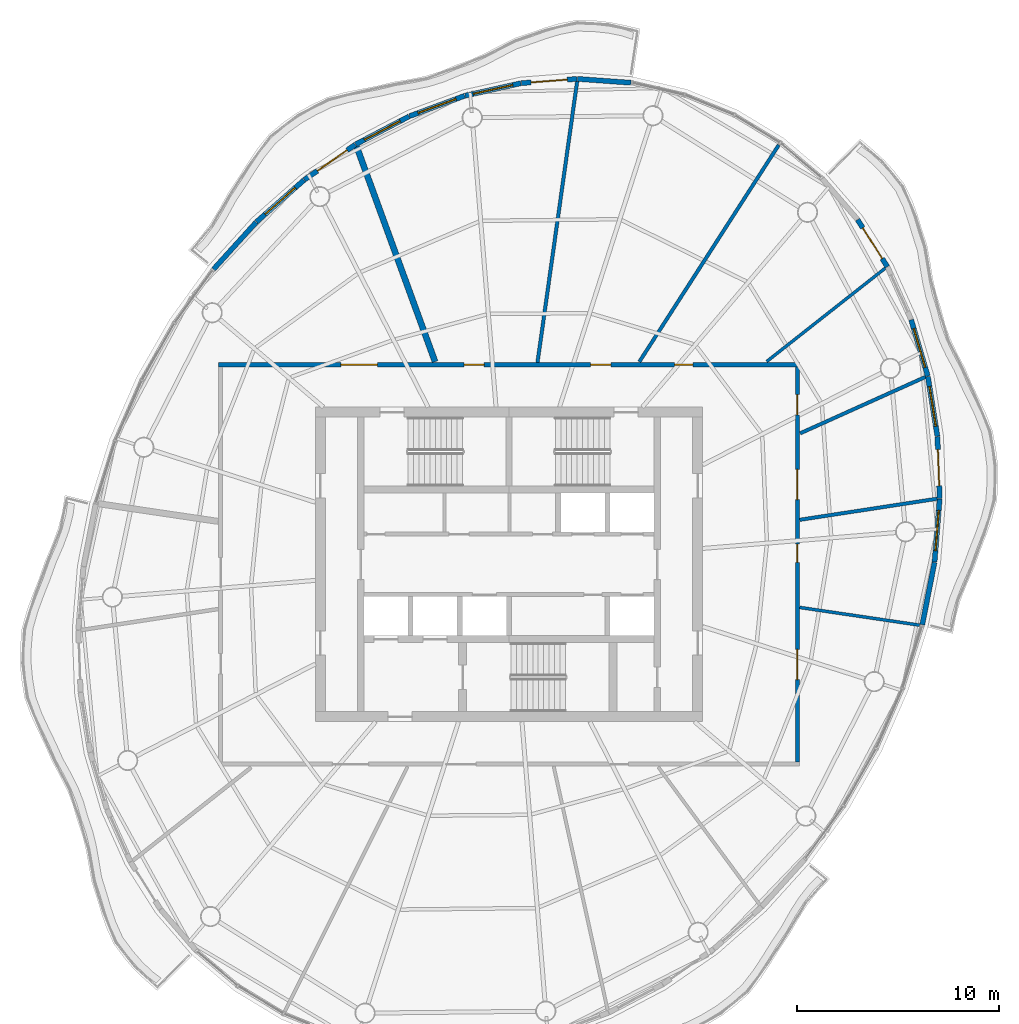
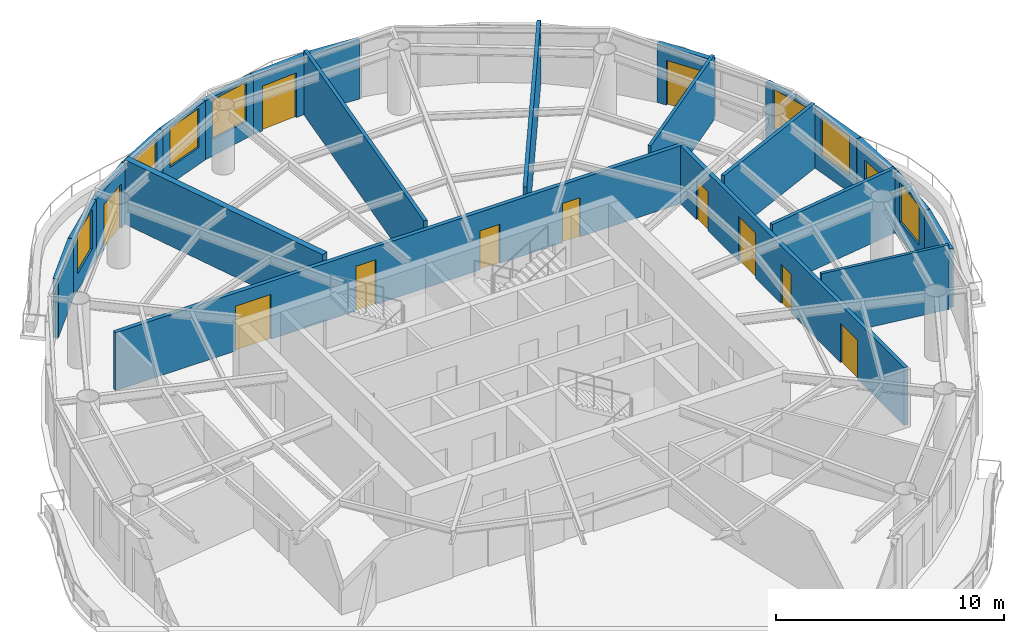
# One storey, part 9 of 13: 23 walls, 12 doors, 7 windows, 19 openings.
"""IFC4 building model written with IfcOpenShell, lengths in metres."""

from ifc_helpers import new_model, si_unit, direction, frame, frame_2d, origin, place, context, subcontext, project, spatial, rectangle, extrude, material, layer, layer_set, type_object, element, fill, save


model = new_model("IFC4")

# Units and contexts
model_context = context("Model", 3, precision=1e-05, world=origin(), true_north=direction((0.0, 1.0)))
body_context = subcontext(model_context, "Body", "Model", "MODEL_VIEW")
ifc_project = project(units=[si_unit("LENGTHUNIT", "METRE"), si_unit("AREAUNIT", "SQUARE_METRE"), si_unit("VOLUMEUNIT", "CUBIC_METRE"), si_unit("PLANEANGLEUNIT", "RADIAN"), si_unit("MASSUNIT", "GRAM", prefix="KILO")], contexts=[model_context])

# Site, building, storey
site_placement = place(None, origin())
site = spatial("IfcSite", under=ifc_project, at=site_placement, CompositionType="ELEMENT")
building_placement = place(site_placement, origin())
building = spatial("IfcBuilding", under=site, at=building_placement, Name="Vermilion Reach Broadcast Tower", CompositionType="ELEMENT")
storey_placement = place(building_placement, frame((0.0, 0.0, 286.5)))
storey = spatial("IfcBuildingStorey", under=building, at=storey_placement, Name="L71", CompositionType="ELEMENT", Elevation=286.5)

# Walls
ifc_material_1 = material(Name="Lightweight concrete block, plastered", Category="concrete")
ifc_layer_1 = layer(ifc_material_1, 0.14990234375)
ifc_layer_set_1 = layer_set([ifc_layer_1], Name="Partition 150 lightweight block")
wall_type_1 = type_object("IfcWallType", Name="Partition 150 lightweight block", PredefinedType="PARTITIONING", material=ifc_layer_set_1)
wall_1_placement = place(storey_placement, frame((14.3583984375, -3.01171875, 0.0), z_axis=(0.0, 0.0, 1.0), x_axis=(-0.989233093571, 0.146348510703, 0.0)))
element("IfcWall", 1, at=wall_1_placement, inside=storey, type_object=wall_type_1, Name="Partition 71.09", PredefinedType="PARTITIONING", context=body_context, shape_type="SweptSolid", body=[
    extrude(rectangle(XDim=6.01220703125, YDim=0.14990234375, at=frame_2d((3.006103515625, 0.0))), origin(), (0.0, 0.0, 1.0), 3.449951171875),
])
wall_2_placement = place(storey_placement, frame((12.655517578125, 14.68896484375, 0.0), z_axis=(0.0, 0.0, 1.0), x_axis=(-0.78567951845, -0.618633731936, 0.0)))
element("IfcWall", 2, at=wall_2_placement, inside=storey, type_object=wall_type_1, Name="Partition 71.12", PredefinedType="PARTITIONING", context=body_context, shape_type="SweptSolid", body=[
    extrude(rectangle(XDim=7.484375, YDim=0.14990234375, at=frame_2d((3.7421875, 0.0))), origin(), (0.0, 0.0, 1.0), 3.449951171875),
])
ifc_material_2 = material(Name="Fire-rated block, plastered")
ifc_layer_2 = layer(ifc_material_2, 0.175048828125)
ifc_layer_set_2 = layer_set([ifc_layer_2], Name="Partition 175 fire-rated block")
wall_type_2 = type_object("IfcWallType", Name="Partition 175 fire-rated block", PredefinedType="PARTITIONING", material=ifc_layer_set_2)
wall_3_placement = place(storey_placement, frame((-2.620361328125, 23.948486328125, 0.0), z_axis=(0.0, 0.0, 1.0), x_axis=(-0.139726049036, -0.990190199518, 0.0)))
element("IfcWall", 3, at=wall_3_placement, inside=storey, type_object=wall_type_2, Name="Partition 71.01", PredefinedType="PARTITIONING", context=body_context, shape_type="SweptSolid", body=[
    extrude(rectangle(XDim=14.074462890625, YDim=0.175048828125, at=frame_2d((7.037109375, 0.0))), origin(), (0.0, 0.0, 1.0), 3.449951171875),
])
wall_4_placement = place(storey_placement, frame((15.2275390625, 3.25634765625, 0.0), z_axis=(0.0, 0.0, 1.0), x_axis=(-0.988435478187, -0.151642030654, 0.0)))
element("IfcWall", 4, at=wall_4_placement, inside=storey, type_object=wall_type_2, Name="Partition 71.10", PredefinedType="PARTITIONING", context=body_context, shape_type="SweptSolid", body=[
    extrude(rectangle(XDim=6.89404296875, YDim=0.175048828125, at=frame_2d((3.447021484375, 0.0))), origin(), (0.0, 0.0, 1.0), 3.449951171875),
])
wall_5_placement = place(storey_placement, frame((14.64404296875, 9.294677734375, 0.0), z_axis=(0.0, 0.0, 1.0), x_axis=(-0.911835601306, -0.410555521447, 0.0)))
element("IfcWall", 5, at=wall_5_placement, inside=storey, type_object=wall_type_2, Name="Partition 71.11", PredefinedType="PARTITIONING", context=body_context, shape_type="SweptSolid", body=[
    extrude(rectangle(XDim=6.808349609375, YDim=0.175048828125, at=frame_2d((3.404296875, 0.0))), origin(), (0.0, 0.0, 1.0), 3.449951171875),
])
wall_6_placement = place(storey_placement, frame((7.37451171875, 20.796142578125, 0.0), z_axis=(0.0, 0.0, 1.0), x_axis=(-0.540918824155, -0.841074803852, 0.0)))
element("IfcWall", 6, at=wall_6_placement, inside=storey, type_object=wall_type_2, Name="Partition 71.13", PredefinedType="PARTITIONING", context=body_context, shape_type="SweptSolid", body=[
    extrude(rectangle(XDim=12.77978515625, YDim=0.175048828125, at=frame_2d((6.389892578125, 0.0))), origin(), (0.0, 0.0, 1.0), 3.449951171875),
])
ifc_material_3 = material(Name="Double-leaf plasterboard on isolated steel stud", Category="steel")
ifc_layer_3 = layer(ifc_material_3, 0.300048828125)
ifc_layer_set_3 = layer_set([ifc_layer_3], Name="Partition 300 acoustic double leaf")
wall_type_3 = type_object("IfcWallType", Name="Partition 300 acoustic double leaf", PredefinedType="PARTITIONING", material=ifc_layer_set_3)
wall_7_placement = place(storey_placement, frame((-13.55126953125, 20.711669921875, 0.0), z_axis=(0.0, 0.0, 1.0), x_axis=(0.342537626191, -0.939504111031, 0.0)))
element("IfcWall", 7, at=wall_7_placement, inside=storey, type_object=wall_type_3, Name="Partition 71.02", PredefinedType="PARTITIONING", context=body_context, shape_type="SweptSolid", body=[
    extrude(rectangle(XDim=11.346923828125, YDim=0.300048828125, at=frame_2d((5.67333984375, 0.0))), origin(), (0.0, 0.0, 1.0), 3.449951171875),
])
ifc_material_4 = material(Name="Terracotta rainscreen cladding", Category="masonry")
ifc_layer_4 = layer(ifc_material_4, 0.25)
ifc_layer_set_4 = layer_set([ifc_layer_4], Name="Terracotta rainscreen wall 250")
wall_type_4 = type_object("IfcWallType", Name="Terracotta rainscreen wall 250", PredefinedType="SOLIDWALL", material=ifc_layer_set_4)
wall_8_placement = place(storey_placement, frame((0.042724609375, 23.880859375, 0.0), z_axis=(0.0, 0.0, 1.0), x_axis=(-0.997395344453, 0.072128544025, 0.0)))
element("IfcWall", 8, at=wall_8_placement, inside=storey, type_object=wall_type_4, Name="External wall L71 02", PredefinedType="SOLIDWALL", context=body_context, shape_type="SweptSolid", body=[
    extrude(rectangle(XDim=2.656982421875, YDim=0.25, at=frame_2d((1.32861328125, 0.0))), origin(), (0.0, 0.0, 1.0), 3.14990234375),
])

# Wall, opening, door
wall_9_placement = place(storey_placement, frame((-2.634033203125, 24.072509765625, 0.0), z_axis=(0.0, 0.0, 1.0), x_axis=(-0.997054485502, -0.076696498885, 0.0)))
wall_9 = element("IfcWall", 9, at=wall_9_placement, inside=storey, type_object=wall_type_4, Name="External wall L71 03", PredefinedType="SOLIDWALL", context=body_context, shape_type="SweptSolid", body=[
    extrude(rectangle(XDim=2.759765625, YDim=0.25, at=frame_2d((1.3798828125, 0.0))), origin(), (0.0, 0.0, 1.0), 3.14990234375),
])
opening_1_placement = place(wall_9_placement, frame((0.47998046875, 0.0, 0.0)))
opening_1 = element("IfcOpeningElement", 10, at=opening_1_placement, cuts=wall_9, Name="Opening D70", PredefinedType="OPENING", context=body_context, shape_type="SweptSolid", body=[
    extrude(rectangle(XDim=1.800048828125, YDim=2.39990234375, at=frame_2d((0.89990234375, 1.199951171875))), frame((0.0, 0.135009765625, 0.0), z_axis=(0.0, -1.0, 0.0), x_axis=(1.0, 0.0, 0.0)), (0.0, 0.0, 1.0), 0.27001953125),
])
ifc_material_5 = material(Name="Low-e laminated clear glass in aluminium frame", Category="aluminium")
door_type_1 = type_object("IfcDoorType", Name="Balcony sliding door 1800 x 2400", OperationType="DOUBLE_DOOR_SLIDING", PredefinedType="DOOR", material=ifc_material_5)
door_1_placement = place(opening_1_placement, origin())
door_1 = element("IfcDoor", 11, at=door_1_placement, inside=storey, type_object=door_type_1, Name="Balcony door L71 run 01", OperationType="DOUBLE_DOOR_SLIDING", OverallHeight=2.39990234375, OverallWidth=1.800048828125, PredefinedType="DOOR", context=body_context, shape_type="SweptSolid", body=[
    extrude(rectangle(XDim=1.800048828125, YDim=2.39990234375, at=frame_2d((0.89990234375, 1.199951171875))), frame((0.0, 0.02490234375, 0.0), z_axis=(0.0, -1.0, 0.0), x_axis=(1.0, 0.0, 0.0)), (0.0, 0.0, 1.0), 0.050048828125),
])
fill(opening_1, door_1)

# Wall, opening, window
wall_10_placement = place(storey_placement, frame((-5.4111328125, 23.85693359375, 0.0), z_axis=(0.0, 0.0, 1.0), x_axis=(-0.976083550613, -0.217395727242, 0.0)))
wall_10 = element("IfcWall", 12, at=wall_10_placement, inside=storey, type_object=wall_type_4, Name="External wall L71 04", PredefinedType="SOLIDWALL", context=body_context, shape_type="SweptSolid", body=[
    extrude(rectangle(XDim=2.83349609375, YDim=0.25, at=frame_2d((1.416748046875, 0.0))), origin(), (0.0, 0.0, 1.0), 3.14990234375),
])
opening_2_placement = place(wall_10_placement, frame((0.416748046875, 0.0, 0.89990234375)))
opening_2 = element("IfcOpeningElement", 13, at=opening_2_placement, cuts=wall_10, Name="Opening W03", PredefinedType="OPENING", context=body_context, shape_type="SweptSolid", body=[
    extrude(rectangle(XDim=2.0, YDim=2.10009765625, at=frame_2d((1.0, 1.050048828125))), frame((0.0, 0.135009765625, 0.0), z_axis=(0.0, -1.0, 0.0), x_axis=(1.0, 0.0, 0.0)), (0.0, 0.0, 1.0), 0.27001953125),
])
ifc_material_6 = material(Name="Low-e laminated clear glass in aluminium frame", Category="aluminium")
window_type = type_object("IfcWindowType", Name="Punched window 2000 x 2100 sill 900", PartitioningType="SINGLE_PANEL", PredefinedType="WINDOW", material=ifc_material_6)
window_1_placement = place(opening_2_placement, origin())
window_1 = element("IfcWindow", 14, at=window_1_placement, inside=storey, type_object=window_type, Name="Window L71 04", OverallHeight=2.10009765625, OverallWidth=2.0, PartitioningType="SINGLE_PANEL", PredefinedType="WINDOW", context=body_context, shape_type="SweptSolid", body=[
    extrude(rectangle(XDim=2.0, YDim=2.10009765625, at=frame_2d((1.0, 1.050048828125))), frame((0.0, 0.030029296875, 0.0), z_axis=(0.0, -1.0, 0.0), x_axis=(1.0, 0.0, 0.0)), (0.0, 0.0, 1.0), 0.06005859375),
])
fill(opening_2, window_1)

wall_11_placement = place(storey_placement, frame((-8.20068359375, 23.234130859375, 0.0), z_axis=(0.0, 0.0, 1.0), x_axis=(-0.937870025434, -0.346986765442, 0.0)))
wall_11 = element("IfcWall", 15, at=wall_11_placement, inside=storey, type_object=wall_type_4, Name="External wall L71 05", PredefinedType="SOLIDWALL", context=body_context, shape_type="SweptSolid", body=[
    extrude(rectangle(XDim=2.912841796875, YDim=0.25, at=frame_2d((1.45654296875, 0.0))), origin(), (0.0, 0.0, 1.0), 3.14990234375),
])
opening_3_placement = place(wall_11_placement, frame((0.45654296875, 0.0, 0.89990234375)))
opening_3 = element("IfcOpeningElement", 16, at=opening_3_placement, cuts=wall_11, Name="Opening W03", PredefinedType="OPENING", context=body_context, shape_type="SweptSolid", body=[
    extrude(rectangle(XDim=2.0, YDim=2.10009765625, at=frame_2d((1.0, 1.050048828125))), frame((0.0, 0.135009765625, 0.0), z_axis=(0.0, -1.0, 0.0), x_axis=(1.0, 0.0, 0.0)), (0.0, 0.0, 1.0), 0.27001953125),
])
window_2_placement = place(opening_3_placement, origin())
window_2 = element("IfcWindow", 17, at=window_2_placement, inside=storey, type_object=window_type, Name="Window L71 05", OverallHeight=2.10009765625, OverallWidth=2.0, PartitioningType="SINGLE_PANEL", PredefinedType="WINDOW", context=body_context, shape_type="SweptSolid", body=[
    extrude(rectangle(XDim=2.0, YDim=2.10009765625, at=frame_2d((1.0, 1.050048828125))), frame((0.0, 0.030029296875, 0.0), z_axis=(0.0, -1.0, 0.0), x_axis=(1.0, 0.0, 0.0)), (0.0, 0.0, 1.0), 0.06005859375),
])
fill(opening_3, window_2)

wall_12_placement = place(storey_placement, frame((-10.95458984375, 22.213623046875, 0.0), z_axis=(0.0, 0.0, 1.0), x_axis=(-0.885698994615, -0.464259938977, 0.0)))
wall_12 = element("IfcWall", 18, at=wall_12_placement, inside=storey, type_object=wall_type_4, Name="External wall L71 06", PredefinedType="SOLIDWALL", context=body_context, shape_type="SweptSolid", body=[
    extrude(rectangle(XDim=2.9931640625, YDim=0.25, at=frame_2d((1.49658203125, 0.0))), origin(), (0.0, 0.0, 1.0), 3.14990234375),
])
opening_4_placement = place(wall_12_placement, frame((0.49658203125, 0.0, 0.89990234375)))
opening_4 = element("IfcOpeningElement", 19, at=opening_4_placement, cuts=wall_12, Name="Opening W03", PredefinedType="OPENING", context=body_context, shape_type="SweptSolid", body=[
    extrude(rectangle(XDim=2.0, YDim=2.10009765625, at=frame_2d((1.0, 1.050048828125))), frame((0.0, 0.135009765625, 0.0), z_axis=(0.0, -1.0, 0.0), x_axis=(1.0, 0.0, 0.0)), (0.0, 0.0, 1.0), 0.27001953125),
])
window_3_placement = place(opening_4_placement, origin())
window_3 = element("IfcWindow", 20, at=window_3_placement, inside=storey, type_object=window_type, Name="Window L71 06", OverallHeight=2.10009765625, OverallWidth=2.0, PartitioningType="SINGLE_PANEL", PredefinedType="WINDOW", context=body_context, shape_type="SweptSolid", body=[
    extrude(rectangle(XDim=2.0, YDim=2.10009765625, at=frame_2d((1.0, 1.050048828125))), frame((0.0, 0.030029296875, 0.0), z_axis=(0.0, -1.0, 0.0), x_axis=(1.0, 0.0, 0.0)), (0.0, 0.0, 1.0), 0.06005859375),
])
fill(opening_4, window_3)

# Wall, opening, door
wall_13_placement = place(storey_placement, frame((-13.62548828125, 20.81201171875, 0.0), z_axis=(0.0, 0.0, 1.0), x_axis=(-0.822592980817, -0.568630625196, 0.0)))
wall_13 = element("IfcWall", 21, at=wall_13_placement, inside=storey, type_object=wall_type_4, Name="External wall L71 07", PredefinedType="SOLIDWALL", context=body_context, shape_type="SweptSolid", body=[
    extrude(rectangle(XDim=3.068603515625, YDim=0.25, at=frame_2d((1.5341796875, 0.0))), origin(), (0.0, 0.0, 1.0), 3.14990234375),
])
opening_5_placement = place(wall_13_placement, frame((0.48388671875, 0.0, 0.0)))
opening_5 = element("IfcOpeningElement", 22, at=opening_5_placement, cuts=wall_13, Name="Opening D70", PredefinedType="OPENING", context=body_context, shape_type="SweptSolid", body=[
    extrude(rectangle(XDim=1.800048828125, YDim=2.39990234375, at=frame_2d((0.89990234375, 1.199951171875))), frame((0.0, 0.135009765625, 0.0), z_axis=(0.0, -1.0, 0.0), x_axis=(1.0, 0.0, 0.0)), (0.0, 0.0, 1.0), 0.27001953125),
])
door_2_placement = place(opening_5_placement, origin())
door_2 = element("IfcDoor", 23, at=door_2_placement, inside=storey, type_object=door_type_1, Name="Balcony door L71 run 02", OperationType="DOUBLE_DOOR_SLIDING", OverallHeight=2.39990234375, OverallWidth=1.800048828125, PredefinedType="DOOR", context=body_context, shape_type="SweptSolid", body=[
    extrude(rectangle(XDim=1.800048828125, YDim=2.39990234375, at=frame_2d((0.89990234375, 1.199951171875))), frame((0.0, 0.02490234375, 0.0), z_axis=(0.0, -1.0, 0.0), x_axis=(1.0, 0.0, 0.0)), (0.0, 0.0, 1.0), 0.050048828125),
])
fill(opening_5, door_2)

# Wall, opening, window
wall_14_placement = place(storey_placement, frame((-16.16748046875, 19.05322265625, 0.0), z_axis=(0.0, 0.0, 1.0), x_axis=(-0.750580626187, -0.660778876473, 0.0)))
wall_14 = element("IfcWall", 24, at=wall_14_placement, inside=storey, type_object=wall_type_4, Name="External wall L71 08", PredefinedType="SOLIDWALL", context=body_context, shape_type="SweptSolid", body=[
    extrude(rectangle(XDim=3.134521484375, YDim=0.25, at=frame_2d((1.5673828125, 0.0))), origin(), (0.0, 0.0, 1.0), 3.14990234375),
])
opening_6_placement = place(wall_14_placement, frame((0.567138671875, 0.0, 0.89990234375)))
opening_6 = element("IfcOpeningElement", 25, at=opening_6_placement, cuts=wall_14, Name="Opening W03", PredefinedType="OPENING", context=body_context, shape_type="SweptSolid", body=[
    extrude(rectangle(XDim=2.0, YDim=2.10009765625, at=frame_2d((1.0, 1.050048828125))), frame((0.0, 0.135009765625, 0.0), z_axis=(0.0, -1.0, 0.0), x_axis=(1.0, 0.0, 0.0)), (0.0, 0.0, 1.0), 0.27001953125),
])
window_4_placement = place(opening_6_placement, origin())
window_4 = element("IfcWindow", 26, at=window_4_placement, inside=storey, type_object=window_type, Name="Window L71 08", OverallHeight=2.10009765625, OverallWidth=2.0, PartitioningType="SINGLE_PANEL", PredefinedType="WINDOW", context=body_context, shape_type="SweptSolid", body=[
    extrude(rectangle(XDim=2.0, YDim=2.10009765625, at=frame_2d((1.0, 1.050048828125))), frame((0.0, 0.030029296875, 0.0), z_axis=(0.0, -1.0, 0.0), x_axis=(1.0, 0.0, 0.0)), (0.0, 0.0, 1.0), 0.06005859375),
])
fill(opening_6, window_4)

# Walls
for number, where, z_axis, x_axis, name in (
    (27, (-18.535888671875, 16.966552734375, 0.0), (0.0, 0.0, 1.0), (-0.671535416704, -0.740972458403, 0.0), "External wall L71 09"),
    (28, (14.490234375, -2.988525390625, 0.0), (0.0, 0.0, 1.0), (0.192470190708, 0.981302820585, 0.0), "External wall L71 38"),
):
    element("IfcWall", number, at=place(storey_placement, frame(where, z_axis=z_axis, x_axis=x_axis)), inside=storey, type_object=wall_type_4, Name=name, PredefinedType="SOLIDWALL", context=body_context, shape_type="SweptSolid", body=[
        extrude(rectangle(XDim=3.143310546875, YDim=0.25, at=frame_2d((1.57177734375, 0.0))), origin(), (0.0, 0.0, 1.0), 3.14990234375),
    ])

# Wall, opening, window
wall_15_placement = place(storey_placement, frame((15.09814453125, 0.117919921875, 0.0), z_axis=(0.0, 0.0, 1.0), x_axis=(0.080847238515, 0.996726504125, 0.0)))
wall_15 = element("IfcWall", 29, at=wall_15_placement, inside=storey, type_object=wall_type_4, Name="External wall L71 39", PredefinedType="SOLIDWALL", context=body_context, shape_type="SweptSolid", body=[
    extrude(rectangle(XDim=3.134521484375, YDim=0.25, at=frame_2d((1.5673828125, 0.0))), origin(), (0.0, 0.0, 1.0), 3.14990234375),
])
opening_7_placement = place(wall_15_placement, frame((0.567138671875, 0.0, 0.89990234375)))
opening_7 = element("IfcOpeningElement", 30, at=opening_7_placement, cuts=wall_15, Name="Opening W03", PredefinedType="OPENING", context=body_context, shape_type="SweptSolid", body=[
    extrude(rectangle(XDim=2.0, YDim=2.10009765625, at=frame_2d((1.0, 1.050048828125))), frame((0.0, 0.135009765625, 0.0), z_axis=(0.0, -1.0, 0.0), x_axis=(1.0, 0.0, 0.0)), (0.0, 0.0, 1.0), 0.27001953125),
])
window_5_placement = place(opening_7_placement, origin())
window_5 = element("IfcWindow", 31, at=window_5_placement, inside=storey, type_object=window_type, Name="Window L71 39", OverallHeight=2.10009765625, OverallWidth=2.0, PartitioningType="SINGLE_PANEL", PredefinedType="WINDOW", context=body_context, shape_type="SweptSolid", body=[
    extrude(rectangle(XDim=2.0, YDim=2.10009765625, at=frame_2d((1.0, 1.050048828125))), frame((0.0, 0.030029296875, 0.0), z_axis=(0.0, -1.0, 0.0), x_axis=(1.0, 0.0, 0.0)), (0.0, 0.0, 1.0), 0.06005859375),
])
fill(opening_7, window_5)

# Wall, opening, door
wall_16_placement = place(storey_placement, frame((15.35205078125, 3.2646484375, 0.0), z_axis=(0.0, 0.0, 1.0), x_axis=(-0.035961121069, 0.999353189704, 0.0)))
wall_16 = element("IfcWall", 32, at=wall_16_placement, inside=storey, type_object=wall_type_4, Name="External wall L71 40", PredefinedType="SOLIDWALL", context=body_context, shape_type="SweptSolid", body=[
    extrude(rectangle(XDim=3.068603515625, YDim=0.25, at=frame_2d((1.5341796875, 0.0))), origin(), (0.0, 0.0, 1.0), 3.14990234375),
])
opening_8_placement = place(wall_16_placement, frame((0.634033203125, 0.0, 0.0)))
opening_8 = element("IfcOpeningElement", 33, at=opening_8_placement, cuts=wall_16, Name="Opening D70", PredefinedType="OPENING", context=body_context, shape_type="SweptSolid", body=[
    extrude(rectangle(XDim=1.800048828125, YDim=2.39990234375, at=frame_2d((0.89990234375, 1.199951171875))), frame((0.0, 0.135009765625, 0.0), z_axis=(0.0, -1.0, 0.0), x_axis=(1.0, 0.0, 0.0)), (0.0, 0.0, 1.0), 0.27001953125),
])
door_3_placement = place(opening_8_placement, origin())
door_3 = element("IfcDoor", 34, at=door_3_placement, inside=storey, type_object=door_type_1, Name="Balcony door L71 run 10", OperationType="DOUBLE_DOOR_SLIDING", OverallHeight=2.39990234375, OverallWidth=1.800048828125, PredefinedType="DOOR", context=body_context, shape_type="SweptSolid", body=[
    extrude(rectangle(XDim=1.800048828125, YDim=2.39990234375, at=frame_2d((0.89990234375, 1.199951171875))), frame((0.0, 0.02490234375, 0.0), z_axis=(0.0, -1.0, 0.0), x_axis=(1.0, 0.0, 0.0)), (0.0, 0.0, 1.0), 0.050048828125),
])
fill(opening_8, door_3)

# Wall, opening, window
wall_17_placement = place(storey_placement, frame((15.239501953125, 6.354248046875, 0.0), z_axis=(0.0, 0.0, 1.0), x_axis=(-0.157503758702, 0.987518387674, 0.0)))
wall_17 = element("IfcWall", 35, at=wall_17_placement, inside=storey, type_object=wall_type_4, Name="External wall L71 41", PredefinedType="SOLIDWALL", context=body_context, shape_type="SweptSolid", body=[
    extrude(rectangle(XDim=2.9931640625, YDim=0.25, at=frame_2d((1.49658203125, 0.0))), origin(), (0.0, 0.0, 1.0), 3.14990234375),
])
opening_9_placement = place(wall_17_placement, frame((0.49658203125, 0.0, 0.89990234375)))
opening_9 = element("IfcOpeningElement", 36, at=opening_9_placement, cuts=wall_17, Name="Opening W03", PredefinedType="OPENING", context=body_context, shape_type="SweptSolid", body=[
    extrude(rectangle(XDim=2.0, YDim=2.10009765625, at=frame_2d((1.0, 1.050048828125))), frame((0.0, 0.135009765625, 0.0), z_axis=(0.0, -1.0, 0.0), x_axis=(1.0, 0.0, 0.0)), (0.0, 0.0, 1.0), 0.27001953125),
])
window_6_placement = place(opening_9_placement, origin())
window_6 = element("IfcWindow", 37, at=window_6_placement, inside=storey, type_object=window_type, Name="Window L71 41", OverallHeight=2.10009765625, OverallWidth=2.0, PartitioningType="SINGLE_PANEL", PredefinedType="WINDOW", context=body_context, shape_type="SweptSolid", body=[
    extrude(rectangle(XDim=2.0, YDim=2.10009765625, at=frame_2d((1.0, 1.050048828125))), frame((0.0, 0.030029296875, 0.0), z_axis=(0.0, -1.0, 0.0), x_axis=(1.0, 0.0, 0.0)), (0.0, 0.0, 1.0), 0.06005859375),
])
fill(opening_9, window_6)

wall_18_placement = place(storey_placement, frame((14.7626953125, 9.33349609375, 0.0), z_axis=(0.0, 0.0, 1.0), x_axis=(-0.282592797693, 0.959239965124, 0.0)))
wall_18 = element("IfcWall", 38, at=wall_18_placement, inside=storey, type_object=wall_type_4, Name="External wall L71 42", PredefinedType="SOLIDWALL", context=body_context, shape_type="SweptSolid", body=[
    extrude(rectangle(XDim=2.9130859375, YDim=0.25, at=frame_2d((1.45654296875, 0.0))), origin(), (0.0, 0.0, 1.0), 3.14990234375),
])
opening_10_placement = place(wall_18_placement, frame((0.45654296875, 0.0, 0.89990234375)))
opening_10 = element("IfcOpeningElement", 39, at=opening_10_placement, cuts=wall_18, Name="Opening W03", PredefinedType="OPENING", context=body_context, shape_type="SweptSolid", body=[
    extrude(rectangle(XDim=2.0, YDim=2.10009765625, at=frame_2d((1.0, 1.050048828125))), frame((0.0, 0.135009765625, 0.0), z_axis=(0.0, -1.0, 0.0), x_axis=(1.0, 0.0, 0.0)), (0.0, 0.0, 1.0), 0.27001953125),
])
window_7_placement = place(opening_10_placement, origin())
window_7 = element("IfcWindow", 40, at=window_7_placement, inside=storey, type_object=window_type, Name="Window L71 42", OverallHeight=2.10009765625, OverallWidth=2.0, PartitioningType="SINGLE_PANEL", PredefinedType="WINDOW", context=body_context, shape_type="SweptSolid", body=[
    extrude(rectangle(XDim=2.0, YDim=2.10009765625, at=frame_2d((1.0, 1.050048828125))), frame((0.0, 0.030029296875, 0.0), z_axis=(0.0, -1.0, 0.0), x_axis=(1.0, 0.0, 0.0)), (0.0, 0.0, 1.0), 0.06005859375),
])
fill(opening_10, window_7)

# Wall, opening, door
wall_19_placement = place(storey_placement, frame((12.7587890625, 14.7587890625, 0.0), z_axis=(0.0, 0.0, 1.0), x_axis=(-0.534618506931, 0.845093516747, 0.0)))
wall_19 = element("IfcWall", 41, at=wall_19_placement, inside=storey, type_object=wall_type_4, Name="External wall L71 44", PredefinedType="SOLIDWALL", context=body_context, shape_type="SweptSolid", body=[
    extrude(rectangle(XDim=2.760009765625, YDim=0.25, at=frame_2d((1.3798828125, 0.0))), origin(), (0.0, 0.0, 1.0), 3.14990234375),
])
opening_11_placement = place(wall_19_placement, frame((0.47998046875, 0.0, 0.0)))
opening_11 = element("IfcOpeningElement", 42, at=opening_11_placement, cuts=wall_19, Name="Opening D70", PredefinedType="OPENING", context=body_context, shape_type="SweptSolid", body=[
    extrude(rectangle(XDim=1.800048828125, YDim=2.39990234375, at=frame_2d((0.89990234375, 1.199951171875))), frame((0.0, 0.135009765625, 0.0), z_axis=(0.0, -1.0, 0.0), x_axis=(1.0, 0.0, 0.0)), (0.0, 0.0, 1.0), 0.27001953125),
])
door_4_placement = place(opening_11_placement, origin())
door_4 = element("IfcDoor", 43, at=door_4_placement, inside=storey, type_object=door_type_1, Name="Balcony door L71 run 11", OperationType="DOUBLE_DOOR_SLIDING", OverallHeight=2.39990234375, OverallWidth=1.800048828125, PredefinedType="DOOR", context=body_context, shape_type="SweptSolid", body=[
    extrude(rectangle(XDim=1.800048828125, YDim=2.39990234375, at=frame_2d((0.89990234375, 1.199951171875))), frame((0.0, 0.02490234375, 0.0), z_axis=(0.0, -1.0, 0.0), x_axis=(1.0, 0.0, 0.0)), (0.0, 0.0, 1.0), 0.050048828125),
])
fill(opening_11, door_4)

# Wall, openings, doors
ifc_material_7 = material(Name="Fire-rated gypsum board partition")
ifc_layer_5 = layer(ifc_material_7, 0.199951171875)
ifc_layer_set_5 = layer_set([ifc_layer_5], Name="Under girder: Corridor wall 200 fire-rated")
wall_type_5 = type_object("IfcWallType", Name="Under girder: Corridor wall 200 fire-rated", PredefinedType="PARTITIONING", material=ifc_layer_set_5)
wall_20_placement = place(storey_placement, frame((-20.39990234375, 9.89990234375, 0.0), z_axis=(0.0, 0.0, 1.0), x_axis=(1.0, 0.0, 0.0)))
wall_20 = element("IfcWall", 44, at=wall_20_placement, inside=storey, type_object=wall_type_5, Name="Corridor wall 71.N", PredefinedType="PARTITIONING", context=body_context, shape_type="SweptSolid", body=[
    extrude(rectangle(XDim=28.7998046875, YDim=0.199951171875, at=frame_2d((14.39990234375, 0.0))), origin(), (0.0, 0.0, 1.0), 3.10009765625),
])
opening_12_placement = place(wall_20_placement, frame((12.171142578125, 0.0, 0.0)))
opening_12 = element("IfcOpeningElement", 45, at=opening_12_placement, cuts=wall_20, Name="Opening D23", PredefinedType="OPENING", context=body_context, shape_type="SweptSolid", body=[
    extrude(rectangle(XDim=1.0, YDim=2.39990234375, at=frame_2d((0.5, 1.199951171875))), frame((0.0, 0.10986328125, 0.0), z_axis=(0.0, -1.0, 0.0), x_axis=(1.0, 0.0, 0.0)), (0.0, 0.0, 1.0), 0.219970703125),
])
opening_13_placement = place(wall_20_placement, frame((6.06787109375, 0.0, 0.0)))
opening_13 = element("IfcOpeningElement", 46, at=opening_13_placement, cuts=wall_20, Name="Opening D27", PredefinedType="OPENING", context=body_context, shape_type="SweptSolid", body=[
    extrude(rectangle(XDim=1.800048828125, YDim=2.39990234375, at=frame_2d((0.89990234375, 1.199951171875))), frame((0.0, 0.10986328125, 0.0), z_axis=(0.0, -1.0, 0.0), x_axis=(1.0, 0.0, 0.0)), (0.0, 0.0, 1.0), 0.219970703125),
])
opening_14_placement = place(wall_20_placement, frame((22.616943359375, 0.0, 0.0)))
opening_14 = element("IfcOpeningElement", 47, at=opening_14_placement, cuts=wall_20, Name="Opening D22", PredefinedType="OPENING", context=body_context, shape_type="SweptSolid", body=[
    extrude(rectangle(XDim=0.89990234375, YDim=2.10009765625, at=frame_2d((0.449951171875, 1.050048828125))), frame((0.0, 0.10986328125, 0.0), z_axis=(0.0, -1.0, 0.0), x_axis=(1.0, 0.0, 0.0)), (0.0, 0.0, 1.0), 0.219970703125),
])
opening_15_placement = place(wall_20_placement, frame((18.4501953125, 0.0, 0.0)))
opening_15 = element("IfcOpeningElement", 48, at=opening_15_placement, cuts=wall_20, Name="Opening D20", PredefinedType="OPENING", context=body_context, shape_type="SweptSolid", body=[
    extrude(rectangle(XDim=1.0, YDim=2.10009765625, at=frame_2d((0.5, 1.050048828125))), frame((0.0, 0.10986328125, 0.0), z_axis=(0.0, -1.0, 0.0), x_axis=(1.0, 0.0, 0.0)), (0.0, 0.0, 1.0), 0.219970703125),
])
ifc_material_8 = material(Name="Acoustic timber door leaf", Category="wood")
door_type_2 = type_object("IfcDoorType", Name="Door pair 1800x2400", OperationType="NOTDEFINED", PredefinedType="DOOR", material=ifc_material_8)
door_5_placement = place(opening_13_placement, origin())
door_5 = element("IfcDoor", 49, at=door_5_placement, inside=storey, type_object=door_type_2, Name="Door 71.02", OperationType="DOUBLE_DOOR_SINGLE_SWING", OverallHeight=2.39990234375, OverallWidth=1.800048828125, PredefinedType="DOOR", context=body_context, shape_type="SweptSolid", body=[
    extrude(rectangle(XDim=1.800048828125, YDim=2.39990234375, at=frame_2d((0.89990234375, 1.199951171875))), frame((0.0, 0.02490234375, 0.0), z_axis=(0.0, -1.0, 0.0), x_axis=(1.0, 0.0, 0.0)), (0.0, 0.0, 1.0), 0.050048828125),
])
fill(opening_13, door_5)
ifc_material_9 = material(Name="Timber door leaf", Category="wood")
door_type_3 = type_object("IfcDoorType", Name="Door single 1000x2100", OperationType="NOTDEFINED", PredefinedType="DOOR", material=ifc_material_9)
door_6_placement = place(opening_15_placement, origin())
door_6 = element("IfcDoor", 50, at=door_6_placement, inside=storey, type_object=door_type_3, Name="Door 71.13", OperationType="SINGLE_SWING_RIGHT", OverallHeight=2.10009765625, OverallWidth=1.0, PredefinedType="DOOR", context=body_context, shape_type="SweptSolid", body=[
    extrude(rectangle(XDim=1.0, YDim=2.10009765625, at=frame_2d((0.5, 1.050048828125))), frame((0.0, 0.02490234375, 0.0), z_axis=(0.0, -1.0, 0.0), x_axis=(1.0, 0.0, 0.0)), (0.0, 0.0, 1.0), 0.050048828125),
])
fill(opening_15, door_6)
ifc_material_10 = material(Name="Veneered timber door leaf", Category="wood")
door_type_4 = type_object("IfcDoorType", Name="Door single 1000x2400", OperationType="NOTDEFINED", PredefinedType="DOOR", material=ifc_material_10)
door_7_placement = place(opening_12_placement, origin())
door_7 = element("IfcDoor", 51, at=door_7_placement, inside=storey, type_object=door_type_4, Name="Door 71.01", OperationType="SINGLE_SWING_LEFT", OverallHeight=2.39990234375, OverallWidth=1.0, PredefinedType="DOOR", context=body_context, shape_type="SweptSolid", body=[
    extrude(rectangle(XDim=1.0, YDim=2.39990234375, at=frame_2d((0.5, 1.199951171875))), frame((0.0, 0.02490234375, 0.0), z_axis=(0.0, -1.0, 0.0), x_axis=(1.0, 0.0, 0.0)), (0.0, 0.0, 1.0), 0.050048828125),
])
fill(opening_12, door_7)
ifc_material_11 = material(Name="Timber door leaf", Category="wood")
door_type_5 = type_object("IfcDoorType", Name="Door single 900x2100", OperationType="NOTDEFINED", PredefinedType="DOOR", material=ifc_material_11)
door_8_placement = place(opening_14_placement, origin())
door_8 = element("IfcDoor", 52, at=door_8_placement, inside=storey, type_object=door_type_5, Name="Door 71.12", OperationType="SINGLE_SWING_LEFT", OverallHeight=2.10009765625, OverallWidth=0.89990234375, PredefinedType="DOOR", context=body_context, shape_type="SweptSolid", body=[
    extrude(rectangle(XDim=0.89990234375, YDim=2.10009765625, at=frame_2d((0.449951171875, 1.050048828125))), frame((0.0, 0.02490234375, 0.0), z_axis=(0.0, -1.0, 0.0), x_axis=(1.0, 0.0, 0.0)), (0.0, 0.0, 1.0), 0.050048828125),
])
fill(opening_14, door_8)

wall_21_placement = place(storey_placement, frame((8.300048828125, 9.800048828125, 0.0), z_axis=(0.0, 0.0, 1.0), x_axis=(0.0, -1.0, 0.0)))
wall_21 = element("IfcWall", 53, at=wall_21_placement, inside=storey, type_object=wall_type_5, Name="Corridor wall 71.E", PredefinedType="PARTITIONING", context=body_context, shape_type="SweptSolid", body=[
    extrude(rectangle(XDim=19.60009765625, YDim=0.199951171875, at=frame_2d((9.800048828125, 0.0))), origin(), (0.0, 0.0, 1.0), 3.10009765625),
])
opening_16_placement = place(wall_21_placement, frame((14.01123046875, 0.0, 0.0)))
opening_16 = element("IfcOpeningElement", 54, at=opening_16_placement, cuts=wall_21, Name="Opening D24", PredefinedType="OPENING", context=body_context, shape_type="SweptSolid", body=[
    extrude(rectangle(XDim=1.5, YDim=2.10009765625, at=frame_2d((0.75, 1.050048828125))), frame((0.0, 0.10986328125, 0.0), z_axis=(0.0, -1.0, 0.0), x_axis=(1.0, 0.0, 0.0)), (0.0, 0.0, 1.0), 0.219970703125),
])
opening_17_placement = place(wall_21_placement, frame((8.7978515625, 0.0, 0.0)))
opening_17 = element("IfcOpeningElement", 55, at=opening_17_placement, cuts=wall_21, Name="Opening D22", PredefinedType="OPENING", context=body_context, shape_type="SweptSolid", body=[
    extrude(rectangle(XDim=0.89990234375, YDim=2.10009765625, at=frame_2d((0.449951171875, 1.050048828125))), frame((0.0, 0.10986328125, 0.0), z_axis=(0.0, -1.0, 0.0), x_axis=(1.0, 0.0, 0.0)), (0.0, 0.0, 1.0), 0.219970703125),
])
opening_18_placement = place(wall_21_placement, frame((5.083740234375, 0.0, 0.0)))
opening_18 = element("IfcOpeningElement", 56, at=opening_18_placement, cuts=wall_21, Name="Opening D25", PredefinedType="OPENING", context=body_context, shape_type="SweptSolid", body=[
    extrude(rectangle(XDim=1.5, YDim=2.39990234375, at=frame_2d((0.75, 1.199951171875))), frame((0.0, 0.10986328125, 0.0), z_axis=(0.0, -1.0, 0.0), x_axis=(1.0, 0.0, 0.0)), (0.0, 0.0, 1.0), 0.219970703125),
])
opening_19_placement = place(wall_21_placement, frame((1.38671875, 0.0, 0.0)))
opening_19 = element("IfcOpeningElement", 57, at=opening_19_placement, cuts=wall_21, Name="Opening D20", PredefinedType="OPENING", context=body_context, shape_type="SweptSolid", body=[
    extrude(rectangle(XDim=1.0, YDim=2.10009765625, at=frame_2d((0.5, 1.050048828125))), frame((0.0, 0.10986328125, 0.0), z_axis=(0.0, -1.0, 0.0), x_axis=(1.0, 0.0, 0.0)), (0.0, 0.0, 1.0), 0.219970703125),
])
ifc_material_12 = material(Name="Timber door leaf", Category="wood")
door_type_6 = type_object("IfcDoorType", Name="Door pair 1500x2100", OperationType="NOTDEFINED", PredefinedType="DOOR", material=ifc_material_12)
door_9_placement = place(opening_16_placement, origin())
door_9 = element("IfcDoor", 58, at=door_9_placement, inside=storey, type_object=door_type_6, Name="Door 71.08", OperationType="DOUBLE_DOOR_SINGLE_SWING", OverallHeight=2.10009765625, OverallWidth=1.5, PredefinedType="DOOR", context=body_context, shape_type="SweptSolid", body=[
    extrude(rectangle(XDim=1.5, YDim=2.10009765625, at=frame_2d((0.75, 1.050048828125))), frame((0.0, 0.02490234375, 0.0), z_axis=(0.0, -1.0, 0.0), x_axis=(1.0, 0.0, 0.0)), (0.0, 0.0, 1.0), 0.050048828125),
])
fill(opening_16, door_9)
ifc_material_13 = material(Name="Glazed timber door leaf", Category="wood")
door_type_7 = type_object("IfcDoorType", Name="Door pair 1500x2400", OperationType="NOTDEFINED", PredefinedType="DOOR", material=ifc_material_13)
door_10_placement = place(opening_18_placement, origin())
door_10 = element("IfcDoor", 59, at=door_10_placement, inside=storey, type_object=door_type_7, Name="Door 71.10", OperationType="DOUBLE_DOOR_SINGLE_SWING", OverallHeight=2.39990234375, OverallWidth=1.5, PredefinedType="DOOR", context=body_context, shape_type="SweptSolid", body=[
    extrude(rectangle(XDim=1.5, YDim=2.39990234375, at=frame_2d((0.75, 1.199951171875))), frame((0.0, 0.02490234375, 0.0), z_axis=(0.0, -1.0, 0.0), x_axis=(1.0, 0.0, 0.0)), (0.0, 0.0, 1.0), 0.050048828125),
])
fill(opening_18, door_10)
door_11_placement = place(opening_19_placement, origin())
door_11 = element("IfcDoor", 60, at=door_11_placement, inside=storey, type_object=door_type_3, Name="Door 71.11", OperationType="SINGLE_SWING_RIGHT", OverallHeight=2.10009765625, OverallWidth=1.0, PredefinedType="DOOR", context=body_context, shape_type="SweptSolid", body=[
    extrude(rectangle(XDim=1.0, YDim=2.10009765625, at=frame_2d((0.5, 1.050048828125))), frame((0.0, 0.02490234375, 0.0), z_axis=(0.0, -1.0, 0.0), x_axis=(1.0, 0.0, 0.0)), (0.0, 0.0, 1.0), 0.050048828125),
])
fill(opening_19, door_11)
door_12_placement = place(opening_17_placement, origin())
door_12 = element("IfcDoor", 61, at=door_12_placement, inside=storey, type_object=door_type_5, Name="Door 71.09", OperationType="SINGLE_SWING_LEFT", OverallHeight=2.10009765625, OverallWidth=0.89990234375, PredefinedType="DOOR", context=body_context, shape_type="SweptSolid", body=[
    extrude(rectangle(XDim=0.89990234375, YDim=2.10009765625, at=frame_2d((0.449951171875, 1.050048828125))), frame((0.0, 0.02490234375, 0.0), z_axis=(0.0, -1.0, 0.0), x_axis=(1.0, 0.0, 0.0)), (0.0, 0.0, 1.0), 0.050048828125),
])
fill(opening_17, door_12)

save(model, "model.ifc")
